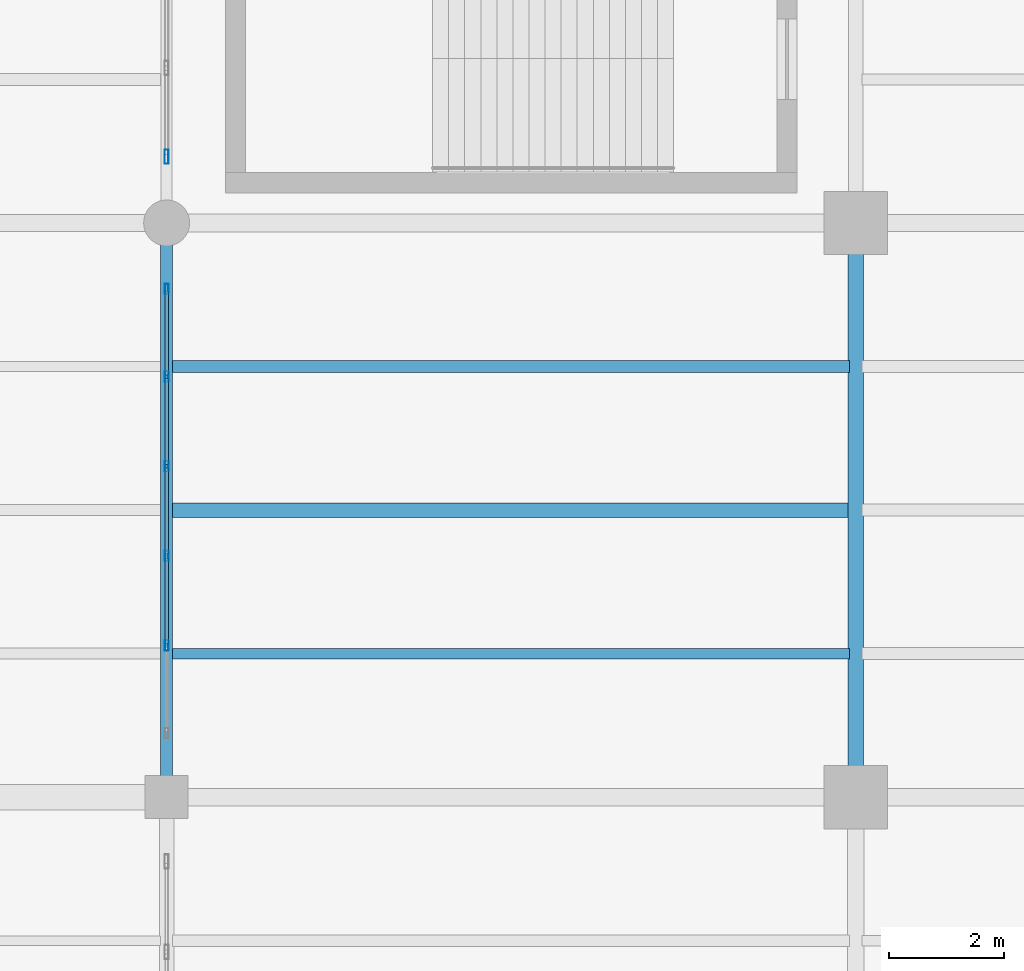
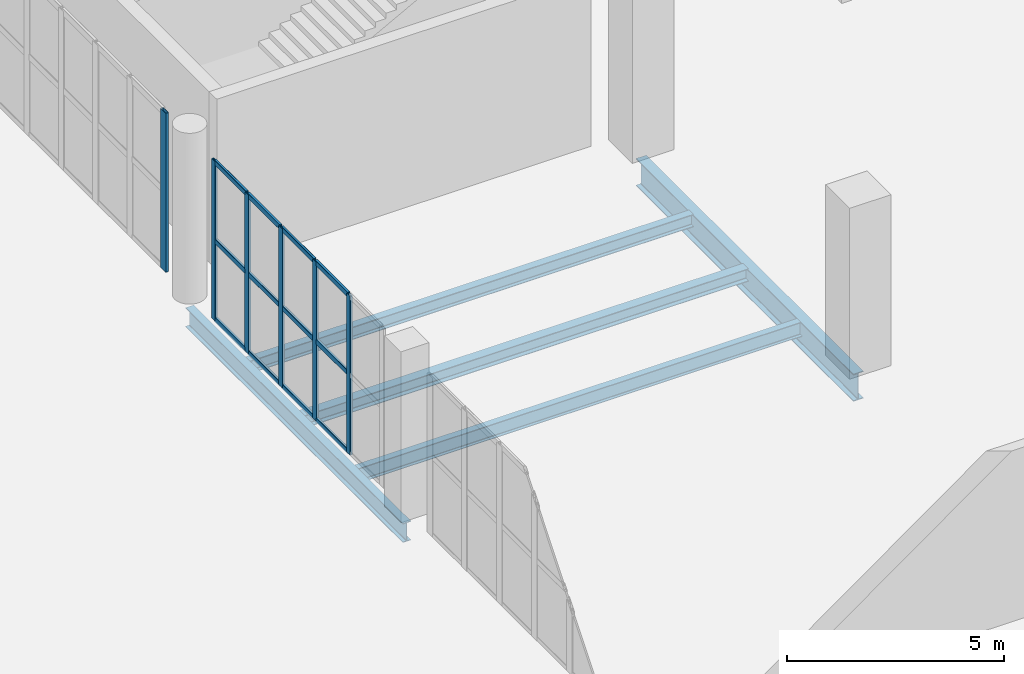
# One storey, part 45 of 136: 18 members, 5 beams, 2 elements without a shape of their own.
"""IFC4 building model written with IfcOpenShell, lengths in metres."""

import ifcopenshell
import ifcopenshell.guid

model = None  # the IFC model being written
_history = None  # IfcOwnerHistory: only IFC2X3 demands one
_inside = {}  # id of a spatial element -> (the spatial element, [elements in it])
_under = {}  # id of a project, library or spatial element -> (it, [spatial elements below it])
_declared = {}  # id of a project -> (the project, [libraries it declares])
_typed = {}  # id of a type object -> (the type object, [elements of that type])
_made_of = {}  # id of a material, layer set ... -> (it, [elements and type objects made of it])


def new_model(schema):
    """Start an empty IFC model of exactly this schema.

    Asked for "IFC4X3", IfcOpenShell would pick the latest addendum, in which some entities
    have other attributes; the version numbers below select the first issue.
    IFC2X3 requires an IfcOwnerHistory on every rooted entity: one is made here for all.
    """
    global model, _history
    if schema == "IFC4X3":
        model = ifcopenshell.file(schema_version=(4, 3, 0, 0))
    else:
        model = ifcopenshell.file(schema=schema)
    _inside.clear()
    _under.clear()
    _declared.clear()
    _typed.clear()
    _made_of.clear()
    _history = None
    if model.schema == "IFC2X3":
        org = make("IfcOrganization", Name="unknown")
        user = make(
            "IfcPersonAndOrganization",
            ThePerson=make("IfcPerson", FamilyName="unknown"),
            TheOrganization=org,
        )
        app = make(
            "IfcApplication",
            ApplicationDeveloper=org,
            Version="unknown",
            ApplicationFullName="unknown",
            ApplicationIdentifier="unknown",
        )
        _history = make(
            "IfcOwnerHistory",
            OwningUser=user,
            OwningApplication=app,
            ChangeAction="ADDED",
            CreationDate=0,
        )
    return model


def make(cls, **values):
    """One entity of the class cls with the attributes given. An attribute that is None is left unset."""
    return model.create_entity(
        cls, **{name: value for name, value in values.items() if value is not None}
    )


def rooted(cls, **values):
    """An entity with a GlobalId (a new one), such as an element, a storey or a relation."""
    return make(cls, GlobalId=ifcopenshell.guid.new(), OwnerHistory=_history, **values)


def si_unit(unit_type, name, prefix=None):
    """IfcSIUnit, for example si_unit("LENGTHUNIT", "METRE", prefix="MILLI")."""
    return make("IfcSIUnit", UnitType=unit_type, Prefix=prefix, Name=name)


def assignment(units):
    """IfcUnitAssignment: the units of a project."""
    return None if units is None else make("IfcUnitAssignment", Units=units)


def point(xyz):
    """IfcCartesianPoint."""
    return None if xyz is None else make("IfcCartesianPoint", Coordinates=xyz)


def direction(xyz):
    """IfcDirection."""
    return None if xyz is None else make("IfcDirection", DirectionRatios=xyz)


def frame(location, z_axis=None, x_axis=None):
    """IfcAxis2Placement3D, a coordinate frame: its origin and axes. An axis left out is left unset."""
    return make(
        "IfcAxis2Placement3D",
        Location=point(location),
        Axis=direction(z_axis),
        RefDirection=direction(x_axis),
    )


def frame_2d(location, x_axis=None):
    """IfcAxis2Placement2D, a coordinate frame in the plane: its origin and x axis."""
    return make(
        "IfcAxis2Placement2D", Location=point(location), RefDirection=direction(x_axis)
    )


def origin():
    """The frame at (0, 0, 0) with its axes left unset."""
    return frame((0.0, 0.0, 0.0))


def origin_2d():
    """The frame at (0, 0) in the plane with its x axis left unset."""
    return frame_2d((0.0, 0.0))


def place(relative_to, where):
    """IfcLocalPlacement: puts the frame where relative to a parent placement (None: the world)."""
    return make(
        "IfcLocalPlacement", PlacementRelTo=relative_to, RelativePlacement=where
    )


def context(
    kind, dimensions, precision=None, world=None, true_north=None, identifier=None
):
    """IfcGeometricRepresentationContext, for example the 3D "Model" context."""
    return make(
        "IfcGeometricRepresentationContext",
        ContextIdentifier=identifier,
        ContextType=kind,
        CoordinateSpaceDimension=dimensions,
        Precision=precision,
        WorldCoordinateSystem=world,
        TrueNorth=true_north,
    )


def subcontext(parent, identifier, kind, view, scale=None):
    """IfcGeometricRepresentationSubContext, for example "Body" below "Model"."""
    return make(
        "IfcGeometricRepresentationSubContext",
        ContextIdentifier=identifier,
        ContextType=kind,
        ParentContext=parent,
        TargetScale=scale,
        TargetView=view,
    )


def project(units=None, contexts=None):
    """IfcProject with its units and contexts."""
    return rooted(
        "IfcProject",
        Name="project",
        RepresentationContexts=contexts,
        UnitsInContext=assignment(units),
    )


def spatial(cls, under=None, at=None, **own):
    """A site, building, storey or space (cls), placed at a placement, below another one or the project."""
    s = rooted(cls, ObjectPlacement=at, **own)
    if under is not None:
        _under.setdefault(under.id(), (under, []))[1].append(s)
    return s


def profile(cls, at=None, kind="AREA", **sizes):
    """A parametric profile (cls). Its sizes go by their IFC names, for example OverallWidth=200.0."""
    return make(cls, ProfileType=kind, Position=at, **sizes)


def hollow_rectangle(**sizes):
    """IfcRectangleHollowProfileDef."""
    return profile("IfcRectangleHollowProfileDef", **sizes)


def i_section(**sizes):
    """IfcIShapeProfileDef."""
    return profile("IfcIShapeProfileDef", **sizes)


def extrude(swept, where, along, depth):
    """IfcExtrudedAreaSolid: the profile swept, set in the frame where, extruded along a direction by depth."""
    return make(
        "IfcExtrudedAreaSolid",
        SweptArea=swept,
        Position=where,
        ExtrudedDirection=direction(along),
        Depth=depth,
    )


def shape(context_of_items, identifier, shape_type, items):
    """IfcShapeRepresentation: the items that make up one representation, for example the "Body"."""
    return make(
        "IfcShapeRepresentation",
        ContextOfItems=context_of_items,
        RepresentationIdentifier=identifier,
        RepresentationType=shape_type,
        Items=items,
    )


def material(Name=None, Category=None):
    """IfcMaterial."""
    return make("IfcMaterial", Name=Name, Category=Category)


def layer(
    of_material, thickness, ventilated=None, Name=None, Category=None, Priority=None
):
    """IfcMaterialLayer: one layer of a wall or slab, of a material (None: an air gap)."""
    return make(
        "IfcMaterialLayer",
        Material=of_material,
        LayerThickness=thickness,
        IsVentilated=ventilated,
        Name=Name,
        Category=Category,
        Priority=Priority,
    )


def layer_set(layers, Name=None):
    """IfcMaterialLayerSet."""
    return make("IfcMaterialLayerSet", MaterialLayers=layers, LayerSetName=Name)


def material_profile(
    of_material, cross_section, Name=None, Category=None, Priority=None
):
    """IfcMaterialProfile: a cross section and its material."""
    return make(
        "IfcMaterialProfile",
        Name=Name,
        Material=of_material,
        Profile=cross_section,
        Priority=Priority,
        Category=Category,
    )


def profile_set(profiles, Name=None, composite=None):
    """IfcMaterialProfileSet."""
    return make(
        "IfcMaterialProfileSet",
        Name=Name,
        MaterialProfiles=profiles,
        CompositeProfile=composite,
    )


def made_of(thing, what):
    """Note that an element or type object is made of a material, layer set ...; save() writes the relation."""
    if what is not None:
        _made_of.setdefault(what.id(), (what, []))[1].append(thing)
    return thing


def type_object(cls, material=None, **own):
    """A type object (cls), such as IfcWallType, which elements share."""
    return made_of(rooted(cls, **own), material)


def element(
    cls,
    number,
    at=None,
    inside=None,
    cuts=None,
    type_object=None,
    material=None,
    context=None,
    identifier="Body",
    shape_type=None,
    held_by="IfcProductDefinitionShape",
    body=None,
    shapes=None,
    **own,
):
    """One element of the class cls, such as IfcWall. Its Tag is "e" and its number.

    at: its placement. inside: the storey or other place that contains it. cuts: it is an
    opening in that element (IfcRelVoidsElement). A single representation is given by context,
    identifier, shape_type and body (its items); several are given by shapes. held_by: the class
    of the entity that holds the representations. save() writes the other relations.
    """
    e = rooted(cls, Tag="e%d" % number, ObjectPlacement=at, **own)
    if body is not None:
        shapes = [shape(context, identifier, shape_type, body)]
    if shapes is not None:
        e.Representation = make(held_by, Representations=shapes)
    if inside is not None:
        _inside.setdefault(inside.id(), (inside, []))[1].append(e)
    if cuts is not None:
        rooted(
            "IfcRelVoidsElement", RelatingBuildingElement=cuts, RelatedOpeningElement=e
        )
    if type_object is not None:
        _typed.setdefault(type_object.id(), (type_object, []))[1].append(e)
    return made_of(e, material)


def aggregate(whole, parts):
    """IfcRelAggregates: a whole, such as a stair, and the parts it consists of."""
    return rooted("IfcRelAggregates", RelatingObject=whole, RelatedObjects=parts)


def save(model, path):
    """Write the relations noted so far, then the file.

    IfcRelAggregates (storeys below a building ...), IfcRelContainedInSpatialStructure (elements
    in a storey), IfcRelDefinesByType, IfcRelAssociatesMaterial and IfcRelDeclares: one each for
    every whole, place, type object, material and project.
    """
    for whole, parts in _under.values():
        aggregate(whole, parts)
    for where, things in _inside.values():
        rooted(
            "IfcRelContainedInSpatialStructure",
            RelatedElements=things,
            RelatingStructure=where,
        )
    for kind, things in _typed.values():
        rooted("IfcRelDefinesByType", RelatedObjects=things, RelatingType=kind)
    for what, things in _made_of.values():
        rooted("IfcRelAssociatesMaterial", RelatedObjects=things, RelatingMaterial=what)
    for by, libraries in _declared.values():
        rooted("IfcRelDeclares", RelatingContext=by, RelatedDefinitions=libraries)
    model.write(path)


model = new_model("IFC4")

# Units and contexts
model_context = context("Model", 3, precision=1e-05, world=origin(), true_north=direction((0.0, 1.0)))
body_context = subcontext(model_context, "Body", "Model", "MODEL_VIEW")
ifc_project = project(units=[si_unit("LENGTHUNIT", "METRE"), si_unit("AREAUNIT", "SQUARE_METRE"), si_unit("VOLUMEUNIT", "CUBIC_METRE"), si_unit("PLANEANGLEUNIT", "RADIAN"), si_unit("MASSUNIT", "GRAM", prefix="KILO")], contexts=[model_context])

# Site, building, storey
site_placement = place(None, origin())
site = spatial("IfcSite", under=ifc_project, at=site_placement, CompositionType="ELEMENT")
building_placement = place(site_placement, origin())
building = spatial("IfcBuilding", under=site, at=building_placement, Name="Brinegate Civic Arena", CompositionType="ELEMENT")
storey_placement = place(building_placement, frame((0.0, 0.0, 5.39990234375)))
storey = spatial("IfcBuildingStorey", under=building, at=storey_placement, Name="L01", CompositionType="ELEMENT", Elevation=5.39990234375)

# Curtain wall, members
ifc_material_1 = material(Name="Marine grade aluminium", Category="aluminium")
ifc_layer = layer(ifc_material_1, 0.199951171875, Name="Marine grade aluminium")
ifc_layer_set = layer_set([ifc_layer], Name="Marine grade aluminium")
curtain_wall_type = type_object("IfcCurtainWallType", Name="CW-BOWL-GLAZED-01", PredefinedType="USERDEFINED", material=ifc_layer_set)
curtain_wall_1_placement = place(storey_placement, origin())
curtain_wall_1 = element("IfcCurtainWall", 1, at=curtain_wall_1_placement, inside=storey, type_object=curtain_wall_type, Name="Curtain Wall CWA-054", ObjectType="GLAZED CURTAIN WALL", PredefinedType="USERDEFINED")
ifc_material_profile_1 = material_profile(ifc_material_1, hollow_rectangle(XDim=0.06494140625, YDim=0.179931640625, WallThickness=0.0048828125, InnerFilletRadius=0.00390625, OuterFilletRadius=0.008056640625, at=origin_2d()), Name="MUL65X180")
ifc_profile_set_1 = profile_set([ifc_material_profile_1], Name="Marine grade aluminium")
member_type_1 = type_object("IfcMemberType", Name="CW-MULLION-65X180", PredefinedType="MULLION", material=ifc_profile_set_1)
member_1_placement = place(storey_placement, frame((48.0, 64.640869140625, 0.0), z_axis=(0.0, 0.0, 1.0), x_axis=(-1.0, 0.0, 0.0)))
member_1 = element("IfcMember", 2, at=member_1_placement, type_object=member_type_1, Name="CWA-054 mullion 2", PredefinedType="MULLION", context=body_context, shape_type="SweptSolid", body=[
    extrude(hollow_rectangle(XDim=0.06494140625, YDim=0.179931640625, WallThickness=0.0048828125, InnerFilletRadius=0.00390625, OuterFilletRadius=0.008056640625, at=origin_2d()), origin(), (0.0, 0.0, 1.0), 4.47021484375),
])
member_2_placement = place(storey_placement, frame((48.0, 66.20166015625, 0.0), z_axis=(0.0, 0.0, 1.0), x_axis=(-1.0, 0.0, 0.0)))
member_2 = element("IfcMember", 3, at=member_2_placement, type_object=member_type_1, Name="CWA-054 mullion 3", PredefinedType="MULLION", context=body_context, shape_type="SweptSolid", body=[
    extrude(hollow_rectangle(XDim=0.06494140625, YDim=0.179931640625, WallThickness=0.0048828125, InnerFilletRadius=0.00390625, OuterFilletRadius=0.008056640625, at=origin_2d()), origin(), (0.0, 0.0, 1.0), 4.47021484375),
])
member_3_placement = place(storey_placement, frame((48.0, 67.762451171875, 0.0), z_axis=(0.0, 0.0, 1.0), x_axis=(-1.0, 0.0, 0.0)))
member_3 = element("IfcMember", 4, at=member_3_placement, type_object=member_type_1, Name="CWA-054 mullion 4", PredefinedType="MULLION", context=body_context, shape_type="SweptSolid", body=[
    extrude(hollow_rectangle(XDim=0.06494140625, YDim=0.179931640625, WallThickness=0.0048828125, InnerFilletRadius=0.00390625, OuterFilletRadius=0.008056640625, at=origin_2d()), origin(), (0.0, 0.0, 1.0), 4.47021484375),
])
member_4_placement = place(storey_placement, frame((48.0, 69.3232421875, 0.0), z_axis=(0.0, 0.0, 1.0), x_axis=(-1.0, 0.0, 0.0)))
member_4 = element("IfcMember", 5, at=member_4_placement, type_object=member_type_1, Name="CWA-054 mullion 5", PredefinedType="MULLION", context=body_context, shape_type="SweptSolid", body=[
    extrude(hollow_rectangle(XDim=0.06494140625, YDim=0.179931640625, WallThickness=0.0048828125, InnerFilletRadius=0.00390625, OuterFilletRadius=0.008056640625, at=origin_2d()), origin(), (0.0, 0.0, 1.0), 4.47021484375),
])
member_5_placement = place(storey_placement, frame((48.0, 70.8515625, 0.0), z_axis=(0.0, 0.0, 1.0), x_axis=(-1.0, 0.0, 0.0)))
member_5 = element("IfcMember", 6, at=member_5_placement, type_object=member_type_1, Name="CWA-054 mullion 6", PredefinedType="MULLION", context=body_context, shape_type="SweptSolid", body=[
    extrude(hollow_rectangle(XDim=0.06494140625, YDim=0.179931640625, WallThickness=0.0048828125, InnerFilletRadius=0.00390625, OuterFilletRadius=0.008056640625, at=origin_2d()), origin(), (0.0, 0.0, 1.0), 4.47021484375),
])

# Curtain wall, member
curtain_wall_2_placement = place(storey_placement, origin())
curtain_wall_2 = element("IfcCurtainWall", 7, at=curtain_wall_2_placement, inside=storey, type_object=curtain_wall_type, Name="Curtain Wall CWA-056", ObjectType="GLAZED CURTAIN WALL", PredefinedType="USERDEFINED")
ifc_material_profile_2 = material_profile(ifc_material_1, hollow_rectangle(XDim=0.074951171875, YDim=0.25, WallThickness=0.006103515625, InnerFilletRadius=0.00390625, OuterFilletRadius=0.008056640625, at=origin_2d()), Name="MUL75X250")
ifc_profile_set_2 = profile_set([ifc_material_profile_2], Name="Marine grade aluminium")
member_type_2 = type_object("IfcMemberType", Name="CW-MULLION-75X250", PredefinedType="MULLION", material=ifc_profile_set_2)
member_6_placement = place(storey_placement, frame((48.0, 73.153564453125, 0.0), z_axis=(0.0, 0.0, 1.0), x_axis=(-1.0, 0.0, 0.0)))
member_6 = element("IfcMember", 8, at=member_6_placement, type_object=member_type_2, Name="CWA-056 mullion 1", PredefinedType="MULLION", context=body_context, shape_type="SweptSolid", body=[
    extrude(hollow_rectangle(XDim=0.074951171875, YDim=0.25, WallThickness=0.006103515625, InnerFilletRadius=0.00390625, OuterFilletRadius=0.008056640625, at=origin_2d()), origin(), (0.0, 0.0, 1.0), 4.47021484375),
])
aggregate(curtain_wall_2, [member_6])

# Member
ifc_material_profile_3 = material_profile(ifc_material_1, hollow_rectangle(XDim=0.06494140625, YDim=0.139892578125, WallThickness=0.0048828125, InnerFilletRadius=0.00390625, OuterFilletRadius=0.008056640625, at=origin_2d()), Name="TRN65X140")
ifc_profile_set_3 = profile_set([ifc_material_profile_3], Name="Marine grade aluminium")
member_type_3 = type_object("IfcMemberType", Name="CW-TRANSOM-65X140", PredefinedType="USERDEFINED", material=ifc_profile_set_3)
member_7_placement = place(storey_placement, frame((48.0, 64.67333984375, 0.03271484375), z_axis=(0.0, 1.0, 0.0), x_axis=(-1.0, 0.0, 0.0)))
member_7 = element("IfcMember", 9, at=member_7_placement, type_object=member_type_3, Name="CWA-054 transom 2.1", ObjectType="TRANSOM", PredefinedType="USERDEFINED", context=body_context, shape_type="SweptSolid", body=[
    extrude(hollow_rectangle(XDim=0.06494140625, YDim=0.139892578125, WallThickness=0.0048828125, InnerFilletRadius=0.00390625, OuterFilletRadius=0.008056640625, at=origin_2d()), origin(), (0.0, 0.0, 1.0), 1.495849609375),
])

member_8_placement = place(storey_placement, frame((48.0, 64.67333984375, 2.235107421875), z_axis=(0.0, 1.0, 0.0), x_axis=(-1.0, 0.0, 0.0)))
member_8 = element("IfcMember", 10, at=member_8_placement, type_object=member_type_3, Name="CWA-054 transom 2.2", ObjectType="TRANSOM", PredefinedType="USERDEFINED", context=body_context, shape_type="SweptSolid", body=[
    extrude(hollow_rectangle(XDim=0.06494140625, YDim=0.139892578125, WallThickness=0.0048828125, InnerFilletRadius=0.00390625, OuterFilletRadius=0.008056640625, at=origin_2d()), origin(), (0.0, 0.0, 1.0), 1.495849609375),
])

member_9_placement = place(storey_placement, frame((48.0, 64.67333984375, 4.4375), z_axis=(0.0, 1.0, 0.0), x_axis=(-1.0, 0.0, 0.0)))
member_9 = element("IfcMember", 11, at=member_9_placement, type_object=member_type_3, Name="CWA-054 transom 2.3", ObjectType="TRANSOM", PredefinedType="USERDEFINED", context=body_context, shape_type="SweptSolid", body=[
    extrude(hollow_rectangle(XDim=0.06494140625, YDim=0.139892578125, WallThickness=0.0048828125, InnerFilletRadius=0.00390625, OuterFilletRadius=0.008056640625, at=origin_2d()), origin(), (0.0, 0.0, 1.0), 1.495849609375),
])

member_10_placement = place(storey_placement, frame((48.0, 66.234130859375, 0.03271484375), z_axis=(0.0, 1.0, 0.0), x_axis=(-1.0, 0.0, 0.0)))
member_10 = element("IfcMember", 12, at=member_10_placement, type_object=member_type_3, Name="CWA-054 transom 3.1", ObjectType="TRANSOM", PredefinedType="USERDEFINED", context=body_context, shape_type="SweptSolid", body=[
    extrude(hollow_rectangle(XDim=0.06494140625, YDim=0.139892578125, WallThickness=0.0048828125, InnerFilletRadius=0.00390625, OuterFilletRadius=0.008056640625, at=origin_2d()), origin(), (0.0, 0.0, 1.0), 1.495849609375),
])

member_11_placement = place(storey_placement, frame((48.0, 66.234130859375, 2.235107421875), z_axis=(0.0, 1.0, 0.0), x_axis=(-1.0, 0.0, 0.0)))
member_11 = element("IfcMember", 13, at=member_11_placement, type_object=member_type_3, Name="CWA-054 transom 3.2", ObjectType="TRANSOM", PredefinedType="USERDEFINED", context=body_context, shape_type="SweptSolid", body=[
    extrude(hollow_rectangle(XDim=0.06494140625, YDim=0.139892578125, WallThickness=0.0048828125, InnerFilletRadius=0.00390625, OuterFilletRadius=0.008056640625, at=origin_2d()), origin(), (0.0, 0.0, 1.0), 1.495849609375),
])

member_12_placement = place(storey_placement, frame((48.0, 66.234130859375, 4.4375), z_axis=(0.0, 1.0, 0.0), x_axis=(-1.0, 0.0, 0.0)))
member_12 = element("IfcMember", 14, at=member_12_placement, type_object=member_type_3, Name="CWA-054 transom 3.3", ObjectType="TRANSOM", PredefinedType="USERDEFINED", context=body_context, shape_type="SweptSolid", body=[
    extrude(hollow_rectangle(XDim=0.06494140625, YDim=0.139892578125, WallThickness=0.0048828125, InnerFilletRadius=0.00390625, OuterFilletRadius=0.008056640625, at=origin_2d()), origin(), (0.0, 0.0, 1.0), 1.495849609375),
])

member_13_placement = place(storey_placement, frame((48.0, 67.794921875, 0.03271484375), z_axis=(0.0, 1.0, 0.0), x_axis=(-1.0, 0.0, 0.0)))
member_13 = element("IfcMember", 15, at=member_13_placement, type_object=member_type_3, Name="CWA-054 transom 4.1", ObjectType="TRANSOM", PredefinedType="USERDEFINED", context=body_context, shape_type="SweptSolid", body=[
    extrude(hollow_rectangle(XDim=0.06494140625, YDim=0.139892578125, WallThickness=0.0048828125, InnerFilletRadius=0.00390625, OuterFilletRadius=0.008056640625, at=origin_2d()), origin(), (0.0, 0.0, 1.0), 1.495849609375),
])

member_14_placement = place(storey_placement, frame((48.0, 67.794921875, 2.235107421875), z_axis=(0.0, 1.0, 0.0), x_axis=(-1.0, 0.0, 0.0)))
member_14 = element("IfcMember", 16, at=member_14_placement, type_object=member_type_3, Name="CWA-054 transom 4.2", ObjectType="TRANSOM", PredefinedType="USERDEFINED", context=body_context, shape_type="SweptSolid", body=[
    extrude(hollow_rectangle(XDim=0.06494140625, YDim=0.139892578125, WallThickness=0.0048828125, InnerFilletRadius=0.00390625, OuterFilletRadius=0.008056640625, at=origin_2d()), origin(), (0.0, 0.0, 1.0), 1.495849609375),
])

member_15_placement = place(storey_placement, frame((48.0, 67.794921875, 4.4375), z_axis=(0.0, 1.0, 0.0), x_axis=(-1.0, 0.0, 0.0)))
member_15 = element("IfcMember", 17, at=member_15_placement, type_object=member_type_3, Name="CWA-054 transom 4.3", ObjectType="TRANSOM", PredefinedType="USERDEFINED", context=body_context, shape_type="SweptSolid", body=[
    extrude(hollow_rectangle(XDim=0.06494140625, YDim=0.139892578125, WallThickness=0.0048828125, InnerFilletRadius=0.00390625, OuterFilletRadius=0.008056640625, at=origin_2d()), origin(), (0.0, 0.0, 1.0), 1.495849609375),
])

member_16_placement = place(storey_placement, frame((48.0, 69.355712890625, 0.03271484375), z_axis=(0.0, 1.0, 0.0), x_axis=(-1.0, 0.0, 0.0)))
member_16 = element("IfcMember", 18, at=member_16_placement, type_object=member_type_3, Name="CWA-054 transom 5.1", ObjectType="TRANSOM", PredefinedType="USERDEFINED", context=body_context, shape_type="SweptSolid", body=[
    extrude(hollow_rectangle(XDim=0.06494140625, YDim=0.139892578125, WallThickness=0.0048828125, InnerFilletRadius=0.00390625, OuterFilletRadius=0.008056640625, at=origin_2d()), origin(), (0.0, 0.0, 1.0), 1.46337890625),
])

member_17_placement = place(storey_placement, frame((48.0, 69.355712890625, 2.235107421875), z_axis=(0.0, 1.0, 0.0), x_axis=(-1.0, 0.0, 0.0)))
member_17 = element("IfcMember", 19, at=member_17_placement, type_object=member_type_3, Name="CWA-054 transom 5.2", ObjectType="TRANSOM", PredefinedType="USERDEFINED", context=body_context, shape_type="SweptSolid", body=[
    extrude(hollow_rectangle(XDim=0.06494140625, YDim=0.139892578125, WallThickness=0.0048828125, InnerFilletRadius=0.00390625, OuterFilletRadius=0.008056640625, at=origin_2d()), origin(), (0.0, 0.0, 1.0), 1.46337890625),
])

member_18_placement = place(storey_placement, frame((48.0, 69.355712890625, 4.4375), z_axis=(0.0, 1.0, 0.0), x_axis=(-1.0, 0.0, 0.0)))
member_18 = element("IfcMember", 20, at=member_18_placement, type_object=member_type_3, Name="CWA-054 transom 5.3", ObjectType="TRANSOM", PredefinedType="USERDEFINED", context=body_context, shape_type="SweptSolid", body=[
    extrude(hollow_rectangle(XDim=0.06494140625, YDim=0.139892578125, WallThickness=0.0048828125, InnerFilletRadius=0.00390625, OuterFilletRadius=0.008056640625, at=origin_2d()), origin(), (0.0, 0.0, 1.0), 1.46337890625),
])

aggregate(curtain_wall_1, [member_1, member_2, member_3, member_4, member_5, member_7, member_8, member_9, member_10, member_11, member_12, member_13, member_14, member_15, member_16, member_17, member_18])

# Beams
ifc_material_2 = material(Name="Steel S355", Category="steel")
ifc_material_profile_4 = material_profile(ifc_material_2, i_section(OverallWidth=0.26806640625, OverallDepth=0.77001953125, WebThickness=0.01611328125, FlangeThickness=0.02490234375, FilletRadius=0.02001953125, at=origin_2d()), Name="W760X196")
ifc_profile_set_4 = profile_set([ifc_material_profile_4], Name="Steel S355")
beam_type_1 = type_object("IfcBeamType", Name="GIRDER-W760X196", PredefinedType="BEAM", material=ifc_profile_set_4)
beam_1_placement = place(storey_placement, frame((60.0, 62.0, -0.724853515625), z_axis=(0.0, 1.0, 0.0), x_axis=(-1.0, 0.0, 0.0)))
element("IfcBeam", 21, at=beam_1_placement, inside=storey, type_object=beam_type_1, Name="Floor Girder BM-L01-GY-05-06", PredefinedType="BEAM", context=body_context, shape_type="SweptSolid", body=[
    extrude(i_section(OverallWidth=0.26806640625, OverallDepth=0.77001953125, WebThickness=0.01611328125, FlangeThickness=0.02490234375, FilletRadius=0.02001953125, at=origin_2d()), origin(), (0.0, 0.0, 1.0), 10.0),
])
ifc_material_profile_5 = material_profile(ifc_material_2, i_section(OverallWidth=0.205078125, OverallDepth=0.35400390625, WebThickness=0.009033203125, FlangeThickness=0.01708984375, FilletRadius=0.013916015625, at=origin_2d()), Name="W360X79")
ifc_profile_set_5 = profile_set([ifc_material_profile_5], Name="Steel S355")
beam_type_2 = type_object("IfcBeamType", Name="JOIST-W360X79", PredefinedType="JOIST", material=ifc_profile_set_5)
beam_2_placement = place(storey_placement, frame((48.10595703125, 69.5, -0.516845703125), z_axis=(1.0, 0.0, 0.0), x_axis=(0.0, 1.0, 0.0)))
element("IfcBeam", 22, at=beam_2_placement, inside=storey, type_object=beam_type_2, Name="Secondary Joist BM-L01-JX-04-06-3", PredefinedType="JOIST", context=body_context, shape_type="SweptSolid", body=[
    extrude(i_section(OverallWidth=0.205078125, OverallDepth=0.35400390625, WebThickness=0.009033203125, FlangeThickness=0.01708984375, FilletRadius=0.013916015625, at=origin_2d()), origin(), (0.0, 0.0, 1.0), 11.7880859375),
])
ifc_material_profile_6 = material_profile(ifc_material_2, i_section(OverallWidth=0.25390625, OverallDepth=0.35302734375, WebThickness=0.010009765625, FlangeThickness=0.01611328125, FilletRadius=0.013916015625, at=origin_2d()), Name="W360X91")
ifc_profile_set_6 = profile_set([ifc_material_profile_6], Name="Steel S355")
beam_type_3 = type_object("IfcBeamType", Name="JOIST-W360X91", PredefinedType="JOIST", material=ifc_profile_set_6)
beam_3_placement = place(storey_placement, frame((48.10595703125, 67.0, -0.515869140625), z_axis=(1.0, 0.0, 0.0), x_axis=(0.0, 1.0, 0.0)))
element("IfcBeam", 23, at=beam_3_placement, inside=storey, type_object=beam_type_3, Name="Secondary Joist BM-L01-JX-04-06-2", PredefinedType="JOIST", context=body_context, shape_type="SweptSolid", body=[
    extrude(i_section(OverallWidth=0.25390625, OverallDepth=0.35302734375, WebThickness=0.010009765625, FlangeThickness=0.01611328125, FilletRadius=0.013916015625, at=origin_2d()), origin(), (0.0, 0.0, 1.0), 11.7880859375),
])
ifc_material_profile_7 = material_profile(ifc_material_2, i_section(OverallWidth=0.178955078125, OverallDepth=0.409912109375, WebThickness=0.009033203125, FlangeThickness=0.013916015625, FilletRadius=0.013916015625, at=origin_2d()), Name="W410X67")
ifc_profile_set_7 = profile_set([ifc_material_profile_7], Name="Steel S355")
beam_type_4 = type_object("IfcBeamType", Name="JOIST-W410X67", PredefinedType="JOIST", material=ifc_profile_set_7)
beam_4_placement = place(storey_placement, frame((48.10595703125, 64.5, -0.544921875), z_axis=(1.0, 0.0, 0.0), x_axis=(0.0, 1.0, 0.0)))
element("IfcBeam", 24, at=beam_4_placement, inside=storey, type_object=beam_type_4, Name="Secondary Joist BM-L01-JX-04-06-1", PredefinedType="JOIST", context=body_context, shape_type="SweptSolid", body=[
    extrude(i_section(OverallWidth=0.178955078125, OverallDepth=0.409912109375, WebThickness=0.009033203125, FlangeThickness=0.013916015625, FilletRadius=0.013916015625, at=origin_2d()), origin(), (0.0, 0.0, 1.0), 11.7880859375),
])
ifc_material_profile_8 = material_profile(ifc_material_2, i_section(OverallWidth=0.2119140625, OverallDepth=0.5439453125, WebThickness=0.012939453125, FlangeThickness=0.02099609375, FilletRadius=0.01611328125, at=origin_2d()), Name="W530X123")
ifc_profile_set_8 = profile_set([ifc_material_profile_8], Name="Steel S355")
beam_type_5 = type_object("IfcBeamType", Name="SPANDREL-W530X123", PredefinedType="SPANDREL", material=ifc_profile_set_8)
beam_5_placement = place(storey_placement, frame((48.0, 62.0, -0.61181640625), z_axis=(0.0, 1.0, 0.0), x_axis=(-1.0, 0.0, 0.0)))
element("IfcBeam", 25, at=beam_5_placement, inside=storey, type_object=beam_type_5, Name="Floor Girder BM-L01-GY-04-06", PredefinedType="SPANDREL", context=body_context, shape_type="SweptSolid", body=[
    extrude(i_section(OverallWidth=0.2119140625, OverallDepth=0.5439453125, WebThickness=0.012939453125, FlangeThickness=0.02099609375, FilletRadius=0.01611328125, at=origin_2d()), origin(), (0.0, 0.0, 1.0), 10.0),
])

save(model, "model.ifc")
